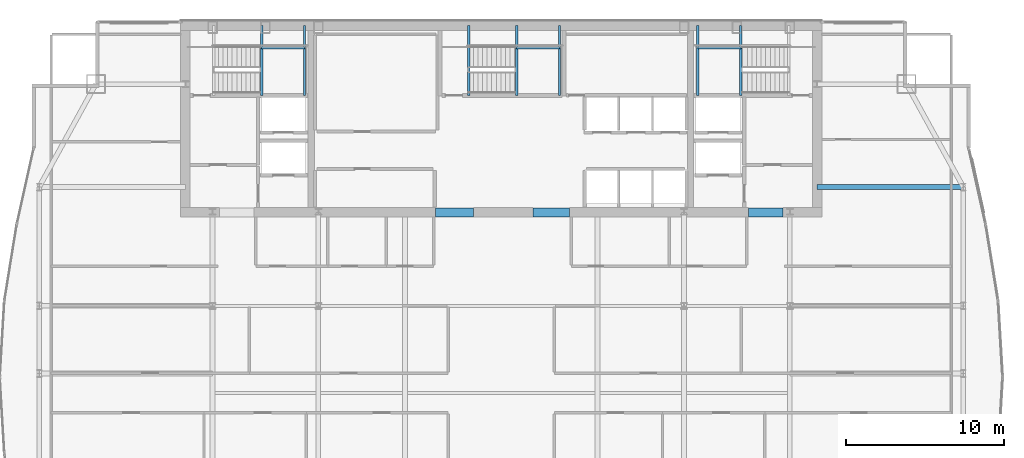
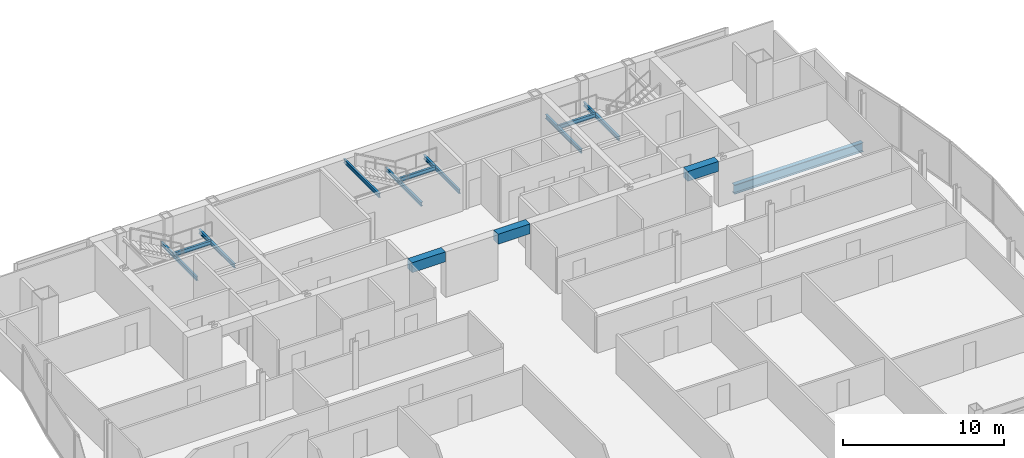
# One storey, part 22 of 30: 14 beams.
"""IFC4 building model written with IfcOpenShell, lengths in metres."""

from ifc_helpers import new_model, si_unit, direction, frame, origin, origin_2d, place, context, subcontext, project, spatial, rectangle, i_section, extrude, material, material_profile, profile_set, type_object, element, save


model = new_model("IFC4")

# Units and contexts
model_context = context("Model", 3, precision=1e-05, world=origin(), true_north=direction((0.0, 1.0)))
body_context = subcontext(model_context, "Body", "Model", "MODEL_VIEW")
ifc_project = project(units=[si_unit("LENGTHUNIT", "METRE"), si_unit("AREAUNIT", "SQUARE_METRE"), si_unit("VOLUMEUNIT", "CUBIC_METRE"), si_unit("PLANEANGLEUNIT", "RADIAN"), si_unit("MASSUNIT", "GRAM", prefix="KILO")], contexts=[model_context])

# Site, building, storey
site_placement = place(None, origin())
site = spatial("IfcSite", under=ifc_project, at=site_placement, CompositionType="ELEMENT")
building_placement = place(site_placement, origin())
building = spatial("IfcBuilding", under=site, at=building_placement, Name="Khoronbel Lancet Exchange", CompositionType="ELEMENT")
storey_placement = place(building_placement, frame((0.0, 0.0, 213.800048828125)))
storey = spatial("IfcBuildingStorey", under=building, at=storey_placement, Name="L54", CompositionType="ELEMENT", Elevation=213.800048828125)

# Beams
ifc_material_1 = material(Name="Steel S355", Category="steel")
ifc_material_profile_1 = material_profile(ifc_material_1, i_section(OverallWidth=0.300048828125, OverallDepth=0.699951171875, WebThickness=0.01708984375, FlangeThickness=0.031982421875, at=origin_2d()), Name="HEB 700")
ifc_profile_set_1 = profile_set([ifc_material_profile_1], Name="Steel S355")
beam_type_1 = type_object("IfcBeamType", Name="BM-BG3", PredefinedType="BEAM", material=ifc_profile_set_1)
beam_1_placement = place(storey_placement, frame((56.39990234375, 43.199951171875, -0.510009765625), z_axis=(1.0, 0.0, 0.0), x_axis=(0.0, 1.0, 0.0)))
element("IfcBeam", 1, at=beam_1_placement, inside=storey, type_object=beam_type_1, Name="Level L54 east lens tie girder LG3E", PredefinedType="BEAM", context=body_context, shape_type="SweptSolid", body=[
    extrude(i_section(OverallWidth=0.300048828125, OverallDepth=0.699951171875, WebThickness=0.01708984375, FlangeThickness=0.031982421875, at=origin_2d()), origin(), (0.0, 0.0, 1.0), 9.22998046875),
])
ifc_material_profile_2 = material_profile(ifc_material_1, i_section(OverallWidth=0.14990234375, OverallDepth=0.300048828125, WebThickness=0.007080078125, FlangeThickness=0.0107421875, at=origin_2d()), Name="IPE 300")
ifc_profile_set_2 = profile_set([ifc_material_profile_2], Name="Steel S355")
beam_type_2 = type_object("IfcBeamType", Name="BM-BJ8", PredefinedType="JOIST", material=ifc_profile_set_2)
for number, where, z_axis, x_axis, name in (
    (2, (21.320068359375, 48.97998046875, 1.449951171875), (0.0, 1.0, 0.0), (-1.0, 0.0, 0.0), "Level L54 stair ST1 landing bearer beam 1"),
    (3, (24.030029296875, 48.97998046875, 1.449951171875), (0.0, 1.0, 0.0), (-1.0, 0.0, 0.0), "Level L54 stair ST1 rear landing bearer beam 1"),
):
    element("IfcBeam", number, at=place(storey_placement, frame(where, z_axis=z_axis, x_axis=x_axis)), inside=storey, type_object=beam_type_2, Name=name, PredefinedType="JOIST", context=body_context, shape_type="SweptSolid", body=[
        extrude(i_section(OverallWidth=0.14990234375, OverallDepth=0.300048828125, WebThickness=0.007080078125, FlangeThickness=0.0107421875, at=origin_2d()), origin(), (0.0, 0.0, 1.0), 4.419921875),
    ])
beam_2_placement = place(storey_placement, frame((21.320068359375, 51.97998046875, 1.449951171875), z_axis=(1.0, 0.0, 0.0), x_axis=(0.0, 1.0, 0.0)))
element("IfcBeam", 4, at=beam_2_placement, inside=storey, type_object=beam_type_2, Name="Level L54 stair ST1 landing cross trimmer beam 1", PredefinedType="JOIST", context=body_context, shape_type="SweptSolid", body=[
    extrude(i_section(OverallWidth=0.14990234375, OverallDepth=0.300048828125, WebThickness=0.007080078125, FlangeThickness=0.0107421875, at=origin_2d()), origin(), (0.0, 0.0, 1.0), 2.7099609375),
])
for number, where, z_axis, x_axis, name in (
    (5, (51.580078125, 48.97998046875, 1.449951171875), (0.0, 1.0, 0.0), (-1.0, 0.0, 0.0), "Level L54 stair ST2 landing bearer beam 1"),
    (6, (48.8701171875, 48.97998046875, 1.449951171875), (0.0, 1.0, 0.0), (-1.0, 0.0, 0.0), "Level L54 stair ST2 rear landing bearer beam 1"),
):
    element("IfcBeam", number, at=place(storey_placement, frame(where, z_axis=z_axis, x_axis=x_axis)), inside=storey, type_object=beam_type_2, Name=name, PredefinedType="JOIST", context=body_context, shape_type="SweptSolid", body=[
        extrude(i_section(OverallWidth=0.14990234375, OverallDepth=0.300048828125, WebThickness=0.007080078125, FlangeThickness=0.0107421875, at=origin_2d()), origin(), (0.0, 0.0, 1.0), 4.419921875),
    ])
beam_3_placement = place(storey_placement, frame((48.8701171875, 51.97998046875, 1.449951171875), z_axis=(1.0, 0.0, 0.0), x_axis=(0.0, 1.0, 0.0)))
element("IfcBeam", 7, at=beam_3_placement, inside=storey, type_object=beam_type_2, Name="Level L54 stair ST2 landing cross trimmer beam 1", PredefinedType="JOIST", context=body_context, shape_type="SweptSolid", body=[
    extrude(i_section(OverallWidth=0.14990234375, OverallDepth=0.300048828125, WebThickness=0.007080078125, FlangeThickness=0.0107421875, at=origin_2d()), origin(), (0.0, 0.0, 1.0), 2.7099609375),
])
for number, where, z_axis, x_axis, name in (
    (8, (37.419921875, 48.97998046875, 1.449951171875), (0.0, 1.0, 0.0), (-1.0, 0.0, 0.0), "Level L54 stair ST3 landing bearer beam 1"),
    (9, (40.1298828125, 48.97998046875, 1.449951171875), (0.0, 1.0, 0.0), (-1.0, 0.0, 0.0), "Level L54 stair ST3 rear landing bearer beam 1"),
):
    element("IfcBeam", number, at=place(storey_placement, frame(where, z_axis=z_axis, x_axis=x_axis)), inside=storey, type_object=beam_type_2, Name=name, PredefinedType="JOIST", context=body_context, shape_type="SweptSolid", body=[
        extrude(i_section(OverallWidth=0.14990234375, OverallDepth=0.300048828125, WebThickness=0.007080078125, FlangeThickness=0.0107421875, at=origin_2d()), origin(), (0.0, 0.0, 1.0), 4.419921875),
    ])
beam_4_placement = place(storey_placement, frame((37.419921875, 51.97998046875, 1.449951171875), z_axis=(1.0, 0.0, 0.0), x_axis=(0.0, 1.0, 0.0)))
element("IfcBeam", 10, at=beam_4_placement, inside=storey, type_object=beam_type_2, Name="Level L54 stair ST3 landing cross trimmer beam 1", PredefinedType="JOIST", context=body_context, shape_type="SweptSolid", body=[
    extrude(i_section(OverallWidth=0.14990234375, OverallDepth=0.300048828125, WebThickness=0.007080078125, FlangeThickness=0.0107421875, at=origin_2d()), origin(), (0.0, 0.0, 1.0), 2.7099609375),
])
beam_5_placement = place(storey_placement, frame((34.39990234375, 48.97998046875, 3.159912109375), z_axis=(0.0, 1.0, 0.0), x_axis=(-1.0, 0.0, 0.0)))
element("IfcBeam", 11, at=beam_5_placement, inside=storey, type_object=beam_type_2, Name="Level L54 stair ST3 upper-flight arrival trimmer beam", PredefinedType="JOIST", context=body_context, shape_type="SweptSolid", body=[
    extrude(i_section(OverallWidth=0.14990234375, OverallDepth=0.300048828125, WebThickness=0.007080078125, FlangeThickness=0.0107421875, at=origin_2d()), origin(), (0.0, 0.0, 1.0), 4.419921875),
])
ifc_material_2 = material(Name="Concrete C60/75", Category="concrete")
ifc_material_profile_3 = material_profile(ifc_material_2, rectangle(XDim=0.550048828125, YDim=0.75, at=origin_2d()), Name="RC 550x750")
ifc_profile_set_3 = profile_set([ifc_material_profile_3], Name="Concrete C60/75")
beam_type_3 = type_object("IfcBeamType", Name="BM-BL2", PredefinedType="LINTEL", material=ifc_profile_set_3)
beam_6_placement = place(storey_placement, frame((32.300048828125, 41.60009765625, 3.06494140625), z_axis=(1.0, 0.0, 0.0), x_axis=(0.0, 1.0, 0.0)))
element("IfcBeam", 12, at=beam_6_placement, inside=storey, type_object=beam_type_3, Name="Level L54 rear core coupling lintel L2", PredefinedType="LINTEL", context=body_context, shape_type="SweptSolid", body=[
    extrude(rectangle(XDim=0.550048828125, YDim=0.75, at=origin_2d()), origin(), (0.0, 0.0, 1.0), 2.39990234375),
])
beam_7_placement = place(storey_placement, frame((38.449951171875, 41.60009765625, 3.06494140625), z_axis=(1.0, 0.0, 0.0), x_axis=(0.0, 1.0, 0.0)))
element("IfcBeam", 13, at=beam_7_placement, inside=storey, type_object=beam_type_3, Name="Level L54 rear core coupling lintel L3", PredefinedType="LINTEL", context=body_context, shape_type="SweptSolid", body=[
    extrude(rectangle(XDim=0.550048828125, YDim=0.75, at=origin_2d()), origin(), (0.0, 0.0, 1.0), 2.300048828125),
])
beam_8_placement = place(storey_placement, frame((52.050048828125, 41.60009765625, 3.06494140625), z_axis=(1.0, 0.0, 0.0), x_axis=(0.0, 1.0, 0.0)))
element("IfcBeam", 14, at=beam_8_placement, inside=storey, type_object=beam_type_3, Name="Level L54 rear core coupling lintel L4", PredefinedType="LINTEL", context=body_context, shape_type="SweptSolid", body=[
    extrude(rectangle(XDim=0.550048828125, YDim=0.75, at=origin_2d()), origin(), (0.0, 0.0, 1.0), 2.199951171875),
])

save(model, "model.ifc")
